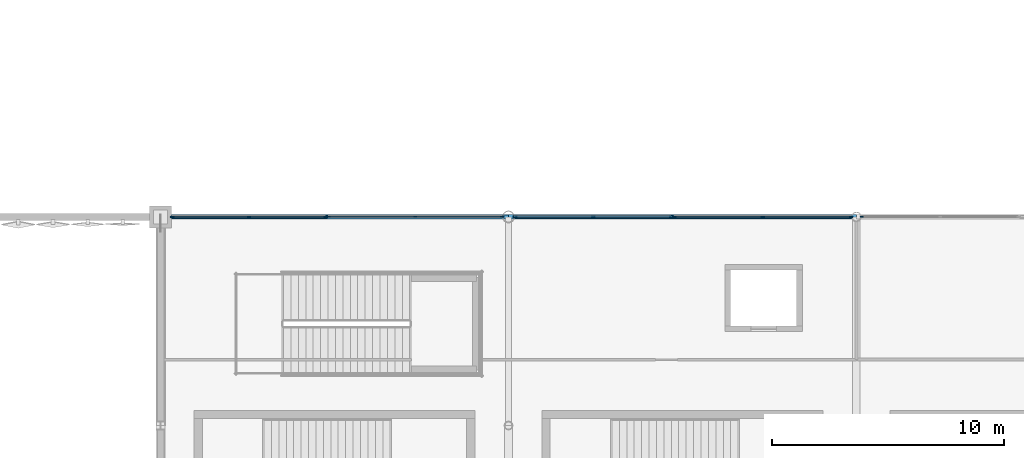
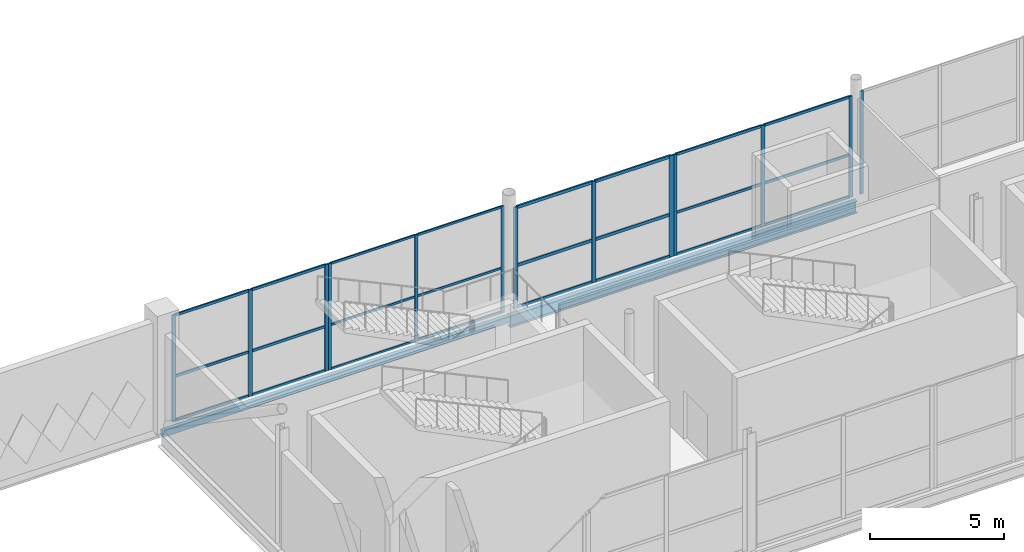
# One storey, part 26 of 119: 37 members, 2 beams, 5 elements without a shape of their own.
"""IFC4 building model written with IfcOpenShell, lengths in metres."""

import ifcopenshell
import ifcopenshell.guid

model = None  # the IFC model being written
_history = None  # IfcOwnerHistory: only IFC2X3 demands one
_inside = {}  # id of a spatial element -> (the spatial element, [elements in it])
_under = {}  # id of a project, library or spatial element -> (it, [spatial elements below it])
_declared = {}  # id of a project -> (the project, [libraries it declares])
_typed = {}  # id of a type object -> (the type object, [elements of that type])
_made_of = {}  # id of a material, layer set ... -> (it, [elements and type objects made of it])


def new_model(schema):
    """Start an empty IFC model of exactly this schema.

    Asked for "IFC4X3", IfcOpenShell would pick the latest addendum, in which some entities
    have other attributes; the version numbers below select the first issue.
    IFC2X3 requires an IfcOwnerHistory on every rooted entity: one is made here for all.
    """
    global model, _history
    if schema == "IFC4X3":
        model = ifcopenshell.file(schema_version=(4, 3, 0, 0))
    else:
        model = ifcopenshell.file(schema=schema)
    _inside.clear()
    _under.clear()
    _declared.clear()
    _typed.clear()
    _made_of.clear()
    _history = None
    if model.schema == "IFC2X3":
        org = make("IfcOrganization", Name="unknown")
        user = make(
            "IfcPersonAndOrganization",
            ThePerson=make("IfcPerson", FamilyName="unknown"),
            TheOrganization=org,
        )
        app = make(
            "IfcApplication",
            ApplicationDeveloper=org,
            Version="unknown",
            ApplicationFullName="unknown",
            ApplicationIdentifier="unknown",
        )
        _history = make(
            "IfcOwnerHistory",
            OwningUser=user,
            OwningApplication=app,
            ChangeAction="ADDED",
            CreationDate=0,
        )
    return model


def make(cls, **values):
    """One entity of the class cls with the attributes given. An attribute that is None is left unset."""
    return model.create_entity(
        cls, **{name: value for name, value in values.items() if value is not None}
    )


def rooted(cls, **values):
    """An entity with a GlobalId (a new one), such as an element, a storey or a relation."""
    return make(cls, GlobalId=ifcopenshell.guid.new(), OwnerHistory=_history, **values)


def si_unit(unit_type, name, prefix=None):
    """IfcSIUnit, for example si_unit("LENGTHUNIT", "METRE", prefix="MILLI")."""
    return make("IfcSIUnit", UnitType=unit_type, Prefix=prefix, Name=name)


def assignment(units):
    """IfcUnitAssignment: the units of a project."""
    return None if units is None else make("IfcUnitAssignment", Units=units)


def point(xyz):
    """IfcCartesianPoint."""
    return None if xyz is None else make("IfcCartesianPoint", Coordinates=xyz)


def direction(xyz):
    """IfcDirection."""
    return None if xyz is None else make("IfcDirection", DirectionRatios=xyz)


def frame(location, z_axis=None, x_axis=None):
    """IfcAxis2Placement3D, a coordinate frame: its origin and axes. An axis left out is left unset."""
    return make(
        "IfcAxis2Placement3D",
        Location=point(location),
        Axis=direction(z_axis),
        RefDirection=direction(x_axis),
    )


def frame_2d(location, x_axis=None):
    """IfcAxis2Placement2D, a coordinate frame in the plane: its origin and x axis."""
    return make(
        "IfcAxis2Placement2D", Location=point(location), RefDirection=direction(x_axis)
    )


def origin():
    """The frame at (0, 0, 0) with its axes left unset."""
    return frame((0.0, 0.0, 0.0))


def origin_2d():
    """The frame at (0, 0) in the plane with its x axis left unset."""
    return frame_2d((0.0, 0.0))


def place(relative_to, where):
    """IfcLocalPlacement: puts the frame where relative to a parent placement (None: the world)."""
    return make(
        "IfcLocalPlacement", PlacementRelTo=relative_to, RelativePlacement=where
    )


def context(
    kind, dimensions, precision=None, world=None, true_north=None, identifier=None
):
    """IfcGeometricRepresentationContext, for example the 3D "Model" context."""
    return make(
        "IfcGeometricRepresentationContext",
        ContextIdentifier=identifier,
        ContextType=kind,
        CoordinateSpaceDimension=dimensions,
        Precision=precision,
        WorldCoordinateSystem=world,
        TrueNorth=true_north,
    )


def subcontext(parent, identifier, kind, view, scale=None):
    """IfcGeometricRepresentationSubContext, for example "Body" below "Model"."""
    return make(
        "IfcGeometricRepresentationSubContext",
        ContextIdentifier=identifier,
        ContextType=kind,
        ParentContext=parent,
        TargetScale=scale,
        TargetView=view,
    )


def project(units=None, contexts=None):
    """IfcProject with its units and contexts."""
    return rooted(
        "IfcProject",
        Name="project",
        RepresentationContexts=contexts,
        UnitsInContext=assignment(units),
    )


def spatial(cls, under=None, at=None, **own):
    """A site, building, storey or space (cls), placed at a placement, below another one or the project."""
    s = rooted(cls, ObjectPlacement=at, **own)
    if under is not None:
        _under.setdefault(under.id(), (under, []))[1].append(s)
    return s


def profile(cls, at=None, kind="AREA", **sizes):
    """A parametric profile (cls). Its sizes go by their IFC names, for example OverallWidth=200.0."""
    return make(cls, ProfileType=kind, Position=at, **sizes)


def rectangle(**sizes):
    """IfcRectangleProfileDef."""
    return profile("IfcRectangleProfileDef", **sizes)


def hollow_rectangle(**sizes):
    """IfcRectangleHollowProfileDef."""
    return profile("IfcRectangleHollowProfileDef", **sizes)


def i_section(**sizes):
    """IfcIShapeProfileDef."""
    return profile("IfcIShapeProfileDef", **sizes)


def extrude(swept, where, along, depth):
    """IfcExtrudedAreaSolid: the profile swept, set in the frame where, extruded along a direction by depth."""
    return make(
        "IfcExtrudedAreaSolid",
        SweptArea=swept,
        Position=where,
        ExtrudedDirection=direction(along),
        Depth=depth,
    )


def shape(context_of_items, identifier, shape_type, items):
    """IfcShapeRepresentation: the items that make up one representation, for example the "Body"."""
    return make(
        "IfcShapeRepresentation",
        ContextOfItems=context_of_items,
        RepresentationIdentifier=identifier,
        RepresentationType=shape_type,
        Items=items,
    )


def material(Name=None, Category=None):
    """IfcMaterial."""
    return make("IfcMaterial", Name=Name, Category=Category)


def layer(
    of_material, thickness, ventilated=None, Name=None, Category=None, Priority=None
):
    """IfcMaterialLayer: one layer of a wall or slab, of a material (None: an air gap)."""
    return make(
        "IfcMaterialLayer",
        Material=of_material,
        LayerThickness=thickness,
        IsVentilated=ventilated,
        Name=Name,
        Category=Category,
        Priority=Priority,
    )


def layer_set(layers, Name=None):
    """IfcMaterialLayerSet."""
    return make("IfcMaterialLayerSet", MaterialLayers=layers, LayerSetName=Name)


def material_profile(
    of_material, cross_section, Name=None, Category=None, Priority=None
):
    """IfcMaterialProfile: a cross section and its material."""
    return make(
        "IfcMaterialProfile",
        Name=Name,
        Material=of_material,
        Profile=cross_section,
        Priority=Priority,
        Category=Category,
    )


def profile_set(profiles, Name=None, composite=None):
    """IfcMaterialProfileSet."""
    return make(
        "IfcMaterialProfileSet",
        Name=Name,
        MaterialProfiles=profiles,
        CompositeProfile=composite,
    )


def made_of(thing, what):
    """Note that an element or type object is made of a material, layer set ...; save() writes the relation."""
    if what is not None:
        _made_of.setdefault(what.id(), (what, []))[1].append(thing)
    return thing


def type_object(cls, material=None, **own):
    """A type object (cls), such as IfcWallType, which elements share."""
    return made_of(rooted(cls, **own), material)


def element(
    cls,
    number,
    at=None,
    inside=None,
    cuts=None,
    type_object=None,
    material=None,
    context=None,
    identifier="Body",
    shape_type=None,
    held_by="IfcProductDefinitionShape",
    body=None,
    shapes=None,
    **own,
):
    """One element of the class cls, such as IfcWall. Its Tag is "e" and its number.

    at: its placement. inside: the storey or other place that contains it. cuts: it is an
    opening in that element (IfcRelVoidsElement). A single representation is given by context,
    identifier, shape_type and body (its items); several are given by shapes. held_by: the class
    of the entity that holds the representations. save() writes the other relations.
    """
    e = rooted(cls, Tag="e%d" % number, ObjectPlacement=at, **own)
    if body is not None:
        shapes = [shape(context, identifier, shape_type, body)]
    if shapes is not None:
        e.Representation = make(held_by, Representations=shapes)
    if inside is not None:
        _inside.setdefault(inside.id(), (inside, []))[1].append(e)
    if cuts is not None:
        rooted(
            "IfcRelVoidsElement", RelatingBuildingElement=cuts, RelatedOpeningElement=e
        )
    if type_object is not None:
        _typed.setdefault(type_object.id(), (type_object, []))[1].append(e)
    return made_of(e, material)


def aggregate(whole, parts):
    """IfcRelAggregates: a whole, such as a stair, and the parts it consists of."""
    return rooted("IfcRelAggregates", RelatingObject=whole, RelatedObjects=parts)


def save(model, path):
    """Write the relations noted so far, then the file.

    IfcRelAggregates (storeys below a building ...), IfcRelContainedInSpatialStructure (elements
    in a storey), IfcRelDefinesByType, IfcRelAssociatesMaterial and IfcRelDeclares: one each for
    every whole, place, type object, material and project.
    """
    for whole, parts in _under.values():
        aggregate(whole, parts)
    for where, things in _inside.values():
        rooted(
            "IfcRelContainedInSpatialStructure",
            RelatedElements=things,
            RelatingStructure=where,
        )
    for kind, things in _typed.values():
        rooted("IfcRelDefinesByType", RelatedObjects=things, RelatingType=kind)
    for what, things in _made_of.values():
        rooted("IfcRelAssociatesMaterial", RelatedObjects=things, RelatingMaterial=what)
    for by, libraries in _declared.values():
        rooted("IfcRelDeclares", RelatingContext=by, RelatedDefinitions=libraries)
    model.write(path)


model = new_model("IFC4")

# Units and contexts
model_context = context("Model", 3, precision=1e-05, world=origin(), true_north=direction((0.0, 1.0)))
body_context = subcontext(model_context, "Body", "Model", "MODEL_VIEW")
ifc_project = project(units=[si_unit("LENGTHUNIT", "METRE"), si_unit("AREAUNIT", "SQUARE_METRE"), si_unit("VOLUMEUNIT", "CUBIC_METRE"), si_unit("PLANEANGLEUNIT", "RADIAN"), si_unit("MASSUNIT", "GRAM", prefix="KILO")], contexts=[model_context])

# Site, building, storey
site_placement = place(None, origin())
site = spatial("IfcSite", under=ifc_project, at=site_placement, CompositionType="ELEMENT")
building_placement = place(site_placement, origin())
building = spatial("IfcBuilding", under=site, at=building_placement, Name="Qamarlyn Nura Convention Centre", CompositionType="ELEMENT")
storey_placement = place(building_placement, frame((0.0, 0.0, 5.39990234375)))
storey = spatial("IfcBuildingStorey", under=building, at=storey_placement, Name="L01", CompositionType="ELEMENT", Elevation=5.39990234375)

# Beams
ifc_material_1 = material(Name="Steel ASTM A992", Category="steel")
ifc_material_profile_1 = material_profile(ifc_material_1, i_section(OverallWidth=0.2109375, OverallDepth=0.5390625, WebThickness=0.01171875, FlangeThickness=0.018798828125, FilletRadius=0.013916015625, at=origin_2d()), Name="W530X109")
ifc_profile_set_1 = profile_set([ifc_material_profile_1], Name="Steel ASTM A992")
beam_type_1 = type_object("IfcBeamType", Name="BM-SPAN-530", PredefinedType="SPANDREL", material=ifc_profile_set_1)
beam_1_placement = place(storey_placement, frame((75.0, 18.0, -0.489501953125), z_axis=(1.0, 0.0, 0.0), x_axis=(0.0, 1.0, 0.0)))
element("IfcBeam", 1, at=beam_1_placement, inside=storey, type_object=beam_type_1, Name="L01 girder C 6-7", PredefinedType="SPANDREL", context=body_context, shape_type="SweptSolid", body=[
    extrude(i_section(OverallWidth=0.2109375, OverallDepth=0.5390625, WebThickness=0.01171875, FlangeThickness=0.018798828125, FilletRadius=0.013916015625, at=origin_2d()), origin(), (0.0, 0.0, 1.0), 15.0),
])
ifc_material_2 = material(Name="Steel ASTM A500 Grade C", Category="steel")
ifc_material_profile_2 = material_profile(ifc_material_2, hollow_rectangle(XDim=0.199951171875, YDim=0.300048828125, WallThickness=0.012451171875, InnerFilletRadius=0.012451171875, OuterFilletRadius=0.02490234375, at=origin_2d()), Name="HSS300X200X12.5")
ifc_profile_set_2 = profile_set([ifc_material_profile_2], Name="Steel ASTM A500 Grade C")
beam_type_2 = type_object("IfcBeamType", Name="BM-SPAN-HSS", PredefinedType="SPANDREL", material=ifc_profile_set_2)
beam_2_placement = place(storey_placement, frame((60.0, 18.0, -0.369873046875), z_axis=(1.0, 0.0, 0.0), x_axis=(0.0, 1.0, 0.0)))
element("IfcBeam", 2, at=beam_2_placement, inside=storey, type_object=beam_type_2, Name="L01 girder C 5-6", PredefinedType="SPANDREL", context=body_context, shape_type="SweptSolid", body=[
    extrude(hollow_rectangle(XDim=0.199951171875, YDim=0.300048828125, WallThickness=0.012451171875, InnerFilletRadius=0.012451171875, OuterFilletRadius=0.02490234375, at=origin_2d()), origin(), (0.0, 0.0, 1.0), 15.0),
])

# Curtain wall, members
ifc_material_3 = material(Name="Double-silver low-E insulated glass", Category="glass")
ifc_layer_1 = layer(ifc_material_3, 0.179931640625, Name="CW-UNIT-02")
ifc_layer_set_1 = layer_set([ifc_layer_1], Name="Double-silver low-E insulated glass")
curtain_wall_type_1 = type_object("IfcCurtainWallType", Name="CW-UNIT-02", PredefinedType="NOTDEFINED", material=ifc_layer_set_1)
curtain_wall_1_placement = place(storey_placement, origin())
curtain_wall_1 = element("IfcCurtainWall", 3, at=curtain_wall_1_placement, inside=storey, type_object=curtain_wall_type_1, Name="L01 unitised curtain wall V1-INT-S1-1B", PredefinedType="NOTDEFINED")
ifc_material_4 = material(Name="Champagne-anodised marine aluminium", Category="aluminium")
ifc_material_profile_3 = material_profile(ifc_material_4, rectangle(XDim=0.06005859375, YDim=0.139892578125, at=origin_2d()), Name="ALU MULLION 60x140")
ifc_profile_set_3 = profile_set([ifc_material_profile_3], Name="Champagne-anodised marine aluminium")
member_type_1 = type_object("IfcMemberType", Name="CWM-140", PredefinedType="MULLION", material=ifc_profile_set_3)
member_1_placement = place(storey_placement, frame((67.25244140625, 18.0, 0.0), z_axis=(0.0, 0.0, 1.0), x_axis=(0.0, 1.0, 0.0)))
member_1 = element("IfcMember", 4, at=member_1_placement, type_object=member_type_1, Name="CW02 mullion 1", PredefinedType="MULLION", context=body_context, shape_type="SweptSolid", body=[
    extrude(rectangle(XDim=0.06005859375, YDim=0.139892578125, at=origin_2d()), origin(), (0.0, 0.0, 1.0), 4.864990234375),
])
member_2_placement = place(storey_placement, frame((70.984130859375, 18.0, 0.0), z_axis=(0.0, 0.0, 1.0), x_axis=(0.0, 1.0, 0.0)))
member_2 = element("IfcMember", 5, at=member_2_placement, type_object=member_type_1, Name="CW02 mullion 2", PredefinedType="MULLION", context=body_context, shape_type="SweptSolid", body=[
    extrude(rectangle(XDim=0.06005859375, YDim=0.139892578125, at=origin_2d()), origin(), (0.0, 0.0, 1.0), 4.864990234375),
])
member_3_placement = place(storey_placement, frame((74.716064453125, 18.0, 0.0), z_axis=(0.0, 0.0, 1.0), x_axis=(0.0, 1.0, 0.0)))
member_3 = element("IfcMember", 6, at=member_3_placement, type_object=member_type_1, Name="CW02 mullion 3", PredefinedType="MULLION", context=body_context, shape_type="SweptSolid", body=[
    extrude(rectangle(XDim=0.06005859375, YDim=0.139892578125, at=origin_2d()), origin(), (0.0, 0.0, 1.0), 4.864990234375),
])

# Curtain wall, member
ifc_layer_2 = layer(ifc_material_3, 0.179931640625, Name="CW-UNIT-05")
ifc_layer_set_2 = layer_set([ifc_layer_2], Name="Double-silver low-E insulated glass")
curtain_wall_type_2 = type_object("IfcCurtainWallType", Name="CW-UNIT-05", PredefinedType="NOTDEFINED", material=ifc_layer_set_2)
curtain_wall_2_placement = place(storey_placement, origin())
curtain_wall_2 = element("IfcCurtainWall", 7, at=curtain_wall_2_placement, inside=storey, type_object=curtain_wall_type_2, Name="L01 unitised curtain wall V1-INT-S3-1A", PredefinedType="NOTDEFINED")
member_4_placement = place(storey_placement, frame((90.233154296875, 18.0, 0.0), z_axis=(0.0, 0.0, 1.0), x_axis=(0.0, 1.0, 0.0)))
member_4 = element("IfcMember", 8, at=member_4_placement, type_object=member_type_1, Name="CW05 mullion 1", PredefinedType="MULLION", context=body_context, shape_type="SweptSolid", body=[
    extrude(rectangle(XDim=0.06005859375, YDim=0.139892578125, at=origin_2d()), origin(), (0.0, 0.0, 1.0), 4.69921875),
])
aggregate(curtain_wall_2, [member_4])

# Curtain wall, members
ifc_layer_3 = layer(ifc_material_3, 0.179931640625, Name="CW-UNIT-01")
ifc_layer_set_3 = layer_set([ifc_layer_3], Name="Double-silver low-E insulated glass")
curtain_wall_type_3 = type_object("IfcCurtainWallType", Name="CW-UNIT-01", PredefinedType="NOTDEFINED", material=ifc_layer_set_3)
curtain_wall_3_placement = place(storey_placement, origin())
curtain_wall_3 = element("IfcCurtainWall", 9, at=curtain_wall_3_placement, inside=storey, type_object=curtain_wall_type_3, Name="L01 unitised curtain wall V1-INT-S1-1A", PredefinedType="NOTDEFINED")
ifc_material_profile_4 = material_profile(ifc_material_4, rectangle(XDim=0.06494140625, YDim=0.159912109375, at=origin_2d()), Name="ALU MULLION 65x160")
ifc_profile_set_4 = profile_set([ifc_material_profile_4], Name="Champagne-anodised marine aluminium")
member_type_2 = type_object("IfcMemberType", Name="CWM-160", PredefinedType="MULLION", material=ifc_profile_set_4)
member_5_placement = place(storey_placement, frame((60.507568359375, 18.0, 0.0), z_axis=(0.0, 0.0, 1.0), x_axis=(0.0, 1.0, 0.0)))
member_5 = element("IfcMember", 10, at=member_5_placement, type_object=member_type_2, Name="CW01 mullion 1", PredefinedType="MULLION", context=body_context, shape_type="SweptSolid", body=[
    extrude(rectangle(XDim=0.06494140625, YDim=0.159912109375, at=origin_2d()), origin(), (0.0, 0.0, 1.0), 4.864990234375),
])
member_6_placement = place(storey_placement, frame((63.80859375, 18.0, 0.0), z_axis=(0.0, 0.0, 1.0), x_axis=(0.0, 1.0, 0.0)))
member_6 = element("IfcMember", 11, at=member_6_placement, type_object=member_type_2, Name="CW01 mullion 2", PredefinedType="MULLION", context=body_context, shape_type="SweptSolid", body=[
    extrude(rectangle(XDim=0.06494140625, YDim=0.159912109375, at=origin_2d()), origin(), (0.0, 0.0, 1.0), 4.864990234375),
])
member_7_placement = place(storey_placement, frame((67.10986328125, 18.0, 0.0), z_axis=(0.0, 0.0, 1.0), x_axis=(0.0, 1.0, 0.0)))
member_7 = element("IfcMember", 12, at=member_7_placement, type_object=member_type_2, Name="CW01 mullion 3", PredefinedType="MULLION", context=body_context, shape_type="SweptSolid", body=[
    extrude(rectangle(XDim=0.06494140625, YDim=0.159912109375, at=origin_2d()), origin(), (0.0, 0.0, 1.0), 4.864990234375),
])

ifc_layer_4 = layer(ifc_material_3, 0.179931640625, Name="CW-UNIT-04")
ifc_layer_set_4 = layer_set([ifc_layer_4], Name="Double-silver low-E insulated glass")
curtain_wall_type_4 = type_object("IfcCurtainWallType", Name="CW-UNIT-04", PredefinedType="NOTDEFINED", material=ifc_layer_set_4)
curtain_wall_4_placement = place(storey_placement, origin())
curtain_wall_4 = element("IfcCurtainWall", 13, at=curtain_wall_4_placement, inside=storey, type_object=curtain_wall_type_4, Name="L01 unitised curtain wall V1-INT-S2-1B", PredefinedType="NOTDEFINED")
member_8_placement = place(storey_placement, frame((82.16162109375, 18.0, 0.0), z_axis=(0.0, 0.0, 1.0), x_axis=(0.0, 1.0, 0.0)))
member_8 = element("IfcMember", 14, at=member_8_placement, type_object=member_type_2, Name="CW04 mullion 1", PredefinedType="MULLION", context=body_context, shape_type="SweptSolid", body=[
    extrude(rectangle(XDim=0.06494140625, YDim=0.159912109375, at=origin_2d()), origin(), (0.0, 0.0, 1.0), 4.6259765625),
])
member_9_placement = place(storey_placement, frame((85.962890625, 18.0, 0.0), z_axis=(0.0, 0.0, 1.0), x_axis=(0.0, 1.0, 0.0)))
member_9 = element("IfcMember", 15, at=member_9_placement, type_object=member_type_2, Name="CW04 mullion 2", PredefinedType="MULLION", context=body_context, shape_type="SweptSolid", body=[
    extrude(rectangle(XDim=0.06494140625, YDim=0.159912109375, at=origin_2d()), origin(), (0.0, 0.0, 1.0), 4.6259765625),
])
member_10_placement = place(storey_placement, frame((89.764404296875, 18.0, 0.0), z_axis=(0.0, 0.0, 1.0), x_axis=(0.0, 1.0, 0.0)))
member_10 = element("IfcMember", 16, at=member_10_placement, type_object=member_type_2, Name="CW04 mullion 3", PredefinedType="MULLION", context=body_context, shape_type="SweptSolid", body=[
    extrude(rectangle(XDim=0.06494140625, YDim=0.159912109375, at=origin_2d()), origin(), (0.0, 0.0, 1.0), 4.6259765625),
])

ifc_layer_5 = layer(ifc_material_3, 0.179931640625, Name="CW-UNIT-03")
ifc_layer_set_5 = layer_set([ifc_layer_5], Name="Double-silver low-E insulated glass")
curtain_wall_type_5 = type_object("IfcCurtainWallType", Name="CW-UNIT-03", PredefinedType="NOTDEFINED", material=ifc_layer_set_5)
curtain_wall_5_placement = place(storey_placement, origin())
curtain_wall_5 = element("IfcCurtainWall", 17, at=curtain_wall_5_placement, inside=storey, type_object=curtain_wall_type_5, Name="L01 unitised curtain wall V1-INT-S2-1A", PredefinedType="NOTDEFINED")
ifc_material_profile_5 = material_profile(ifc_material_4, rectangle(XDim=0.070068359375, YDim=0.179931640625, at=origin_2d()), Name="ALU MULLION 70x180")
ifc_profile_set_5 = profile_set([ifc_material_profile_5], Name="Champagne-anodised marine aluminium")
member_type_3 = type_object("IfcMemberType", Name="CWM-180", PredefinedType="MULLION", material=ifc_profile_set_5)
member_11_placement = place(storey_placement, frame((75.2890625, 18.0, 0.0), z_axis=(0.0, 0.0, 1.0), x_axis=(0.0, 1.0, 0.0)))
member_11 = element("IfcMember", 18, at=member_11_placement, type_object=member_type_3, Name="CW03 mullion 1", PredefinedType="MULLION", context=body_context, shape_type="SweptSolid", body=[
    extrude(rectangle(XDim=0.070068359375, YDim=0.179931640625, at=origin_2d()), origin(), (0.0, 0.0, 1.0), 4.6259765625),
])
member_12_placement = place(storey_placement, frame((78.651611328125, 18.0, 0.0), z_axis=(0.0, 0.0, 1.0), x_axis=(0.0, 1.0, 0.0)))
member_12 = element("IfcMember", 19, at=member_12_placement, type_object=member_type_3, Name="CW03 mullion 2", PredefinedType="MULLION", context=body_context, shape_type="SweptSolid", body=[
    extrude(rectangle(XDim=0.070068359375, YDim=0.179931640625, at=origin_2d()), origin(), (0.0, 0.0, 1.0), 4.6259765625),
])
member_13_placement = place(storey_placement, frame((82.01416015625, 18.0, 0.0), z_axis=(0.0, 0.0, 1.0), x_axis=(0.0, 1.0, 0.0)))
member_13 = element("IfcMember", 20, at=member_13_placement, type_object=member_type_3, Name="CW03 mullion 3", PredefinedType="MULLION", context=body_context, shape_type="SweptSolid", body=[
    extrude(rectangle(XDim=0.070068359375, YDim=0.179931640625, at=origin_2d()), origin(), (0.0, 0.0, 1.0), 4.6259765625),
])

# Member
ifc_material_profile_6 = material_profile(ifc_material_4, rectangle(XDim=0.06005859375, YDim=0.10009765625, at=origin_2d()), Name="ALU TRANSOM 60x100")
ifc_profile_set_6 = profile_set([ifc_material_profile_6], Name="Champagne-anodised marine aluminium")
member_type_4 = type_object("IfcMemberType", Name="CWT-100", PredefinedType="USERDEFINED", material=ifc_profile_set_6)
member_14_placement = place(storey_placement, frame((67.282470703125, 18.0, 0.030029296875), z_axis=(1.0, 0.0, 0.0), x_axis=(0.0, 1.0, 0.0)))
member_14 = element("IfcMember", 21, at=member_14_placement, type_object=member_type_4, Name="CW02 transom 1.1", ObjectType="TRANSOM", PredefinedType="USERDEFINED", context=body_context, shape_type="SweptSolid", body=[
    extrude(rectangle(XDim=0.06005859375, YDim=0.10009765625, at=origin_2d()), origin(), (0.0, 0.0, 1.0), 3.671630859375),
])

member_15_placement = place(storey_placement, frame((67.282470703125, 18.0, 2.043212890625), z_axis=(1.0, 0.0, 0.0), x_axis=(0.0, 1.0, 0.0)))
member_15 = element("IfcMember", 22, at=member_15_placement, type_object=member_type_4, Name="CW02 transom 1.2", ObjectType="TRANSOM", PredefinedType="USERDEFINED", context=body_context, shape_type="SweptSolid", body=[
    extrude(rectangle(XDim=0.06005859375, YDim=0.10009765625, at=origin_2d()), origin(), (0.0, 0.0, 1.0), 3.671630859375),
])

member_16_placement = place(storey_placement, frame((67.282470703125, 18.0, 4.835205078125), z_axis=(1.0, 0.0, 0.0), x_axis=(0.0, 1.0, 0.0)))
member_16 = element("IfcMember", 23, at=member_16_placement, type_object=member_type_4, Name="CW02 transom 1.3", ObjectType="TRANSOM", PredefinedType="USERDEFINED", context=body_context, shape_type="SweptSolid", body=[
    extrude(rectangle(XDim=0.06005859375, YDim=0.10009765625, at=origin_2d()), origin(), (0.0, 0.0, 1.0), 3.671630859375),
])

member_17_placement = place(storey_placement, frame((71.01416015625, 18.0, 0.030029296875), z_axis=(1.0, 0.0, 0.0), x_axis=(0.0, 1.0, 0.0)))
member_17 = element("IfcMember", 24, at=member_17_placement, type_object=member_type_4, Name="CW02 transom 2.1", ObjectType="TRANSOM", PredefinedType="USERDEFINED", context=body_context, shape_type="SweptSolid", body=[
    extrude(rectangle(XDim=0.06005859375, YDim=0.10009765625, at=origin_2d()), origin(), (0.0, 0.0, 1.0), 3.671875),
])

member_18_placement = place(storey_placement, frame((71.01416015625, 18.0, 2.043212890625), z_axis=(1.0, 0.0, 0.0), x_axis=(0.0, 1.0, 0.0)))
member_18 = element("IfcMember", 25, at=member_18_placement, type_object=member_type_4, Name="CW02 transom 2.2", ObjectType="TRANSOM", PredefinedType="USERDEFINED", context=body_context, shape_type="SweptSolid", body=[
    extrude(rectangle(XDim=0.06005859375, YDim=0.10009765625, at=origin_2d()), origin(), (0.0, 0.0, 1.0), 3.671875),
])

member_19_placement = place(storey_placement, frame((71.01416015625, 18.0, 4.835205078125), z_axis=(1.0, 0.0, 0.0), x_axis=(0.0, 1.0, 0.0)))
member_19 = element("IfcMember", 26, at=member_19_placement, type_object=member_type_4, Name="CW02 transom 2.3", ObjectType="TRANSOM", PredefinedType="USERDEFINED", context=body_context, shape_type="SweptSolid", body=[
    extrude(rectangle(XDim=0.06005859375, YDim=0.10009765625, at=origin_2d()), origin(), (0.0, 0.0, 1.0), 3.671875),
])

aggregate(curtain_wall_1, [member_1, member_2, member_3, member_14, member_15, member_16, member_17, member_18, member_19])

ifc_material_profile_7 = material_profile(ifc_material_4, rectangle(XDim=0.06494140625, YDim=0.1201171875, at=origin_2d()), Name="ALU TRANSOM 65x120")
ifc_profile_set_7 = profile_set([ifc_material_profile_7], Name="Champagne-anodised marine aluminium")
member_type_5 = type_object("IfcMemberType", Name="CWT-120", PredefinedType="USERDEFINED", material=ifc_profile_set_7)
member_20_placement = place(storey_placement, frame((60.5400390625, 18.0, 0.03271484375), z_axis=(1.0, 0.0, 0.0), x_axis=(0.0, 1.0, 0.0)))
member_20 = element("IfcMember", 27, at=member_20_placement, type_object=member_type_5, Name="CW01 transom 1.1", ObjectType="TRANSOM", PredefinedType="USERDEFINED", context=body_context, shape_type="SweptSolid", body=[
    extrude(rectangle(XDim=0.06494140625, YDim=0.1201171875, at=origin_2d()), origin(), (0.0, 0.0, 1.0), 3.236083984375),
])

member_21_placement = place(storey_placement, frame((60.5400390625, 18.0, 2.043212890625), z_axis=(1.0, 0.0, 0.0), x_axis=(0.0, 1.0, 0.0)))
member_21 = element("IfcMember", 28, at=member_21_placement, type_object=member_type_5, Name="CW01 transom 1.2", ObjectType="TRANSOM", PredefinedType="USERDEFINED", context=body_context, shape_type="SweptSolid", body=[
    extrude(rectangle(XDim=0.06494140625, YDim=0.1201171875, at=origin_2d()), origin(), (0.0, 0.0, 1.0), 3.236083984375),
])

member_22_placement = place(storey_placement, frame((60.5400390625, 18.0, 4.83251953125), z_axis=(1.0, 0.0, 0.0), x_axis=(0.0, 1.0, 0.0)))
member_22 = element("IfcMember", 29, at=member_22_placement, type_object=member_type_5, Name="CW01 transom 1.3", ObjectType="TRANSOM", PredefinedType="USERDEFINED", context=body_context, shape_type="SweptSolid", body=[
    extrude(rectangle(XDim=0.06494140625, YDim=0.1201171875, at=origin_2d()), origin(), (0.0, 0.0, 1.0), 3.236083984375),
])

member_23_placement = place(storey_placement, frame((63.84130859375, 18.0, 0.03271484375), z_axis=(1.0, 0.0, 0.0), x_axis=(0.0, 1.0, 0.0)))
member_23 = element("IfcMember", 30, at=member_23_placement, type_object=member_type_5, Name="CW01 transom 2.1", ObjectType="TRANSOM", PredefinedType="USERDEFINED", context=body_context, shape_type="SweptSolid", body=[
    extrude(rectangle(XDim=0.06494140625, YDim=0.1201171875, at=origin_2d()), origin(), (0.0, 0.0, 1.0), 3.236083984375),
])

member_24_placement = place(storey_placement, frame((63.84130859375, 18.0, 2.043212890625), z_axis=(1.0, 0.0, 0.0), x_axis=(0.0, 1.0, 0.0)))
member_24 = element("IfcMember", 31, at=member_24_placement, type_object=member_type_5, Name="CW01 transom 2.2", ObjectType="TRANSOM", PredefinedType="USERDEFINED", context=body_context, shape_type="SweptSolid", body=[
    extrude(rectangle(XDim=0.06494140625, YDim=0.1201171875, at=origin_2d()), origin(), (0.0, 0.0, 1.0), 3.236083984375),
])

member_25_placement = place(storey_placement, frame((63.84130859375, 18.0, 4.83251953125), z_axis=(1.0, 0.0, 0.0), x_axis=(0.0, 1.0, 0.0)))
member_25 = element("IfcMember", 32, at=member_25_placement, type_object=member_type_5, Name="CW01 transom 2.3", ObjectType="TRANSOM", PredefinedType="USERDEFINED", context=body_context, shape_type="SweptSolid", body=[
    extrude(rectangle(XDim=0.06494140625, YDim=0.1201171875, at=origin_2d()), origin(), (0.0, 0.0, 1.0), 3.236083984375),
])

aggregate(curtain_wall_3, [member_5, member_6, member_7, member_20, member_21, member_22, member_23, member_24, member_25])

member_26_placement = place(storey_placement, frame((82.194091796875, 18.0, 0.03271484375), z_axis=(1.0, 0.0, 0.0), x_axis=(0.0, 1.0, 0.0)))
member_26 = element("IfcMember", 33, at=member_26_placement, type_object=member_type_5, Name="CW04 transom 1.1", ObjectType="TRANSOM", PredefinedType="USERDEFINED", context=body_context, shape_type="SweptSolid", body=[
    extrude(rectangle(XDim=0.06494140625, YDim=0.1201171875, at=origin_2d()), origin(), (0.0, 0.0, 1.0), 3.736328125),
])

member_27_placement = place(storey_placement, frame((82.194091796875, 18.0, 1.943115234375), z_axis=(1.0, 0.0, 0.0), x_axis=(0.0, 1.0, 0.0)))
member_27 = element("IfcMember", 34, at=member_27_placement, type_object=member_type_5, Name="CW04 transom 1.2", ObjectType="TRANSOM", PredefinedType="USERDEFINED", context=body_context, shape_type="SweptSolid", body=[
    extrude(rectangle(XDim=0.06494140625, YDim=0.1201171875, at=origin_2d()), origin(), (0.0, 0.0, 1.0), 3.736328125),
])

member_28_placement = place(storey_placement, frame((82.194091796875, 18.0, 4.593505859375), z_axis=(1.0, 0.0, 0.0), x_axis=(0.0, 1.0, 0.0)))
member_28 = element("IfcMember", 35, at=member_28_placement, type_object=member_type_5, Name="CW04 transom 1.3", ObjectType="TRANSOM", PredefinedType="USERDEFINED", context=body_context, shape_type="SweptSolid", body=[
    extrude(rectangle(XDim=0.06494140625, YDim=0.1201171875, at=origin_2d()), origin(), (0.0, 0.0, 1.0), 3.736328125),
])

member_29_placement = place(storey_placement, frame((85.995361328125, 18.0, 0.03271484375), z_axis=(1.0, 0.0, 0.0), x_axis=(0.0, 1.0, 0.0)))
member_29 = element("IfcMember", 36, at=member_29_placement, type_object=member_type_5, Name="CW04 transom 2.1", ObjectType="TRANSOM", PredefinedType="USERDEFINED", context=body_context, shape_type="SweptSolid", body=[
    extrude(rectangle(XDim=0.06494140625, YDim=0.1201171875, at=origin_2d()), origin(), (0.0, 0.0, 1.0), 3.736328125),
])

member_30_placement = place(storey_placement, frame((85.995361328125, 18.0, 1.943115234375), z_axis=(1.0, 0.0, 0.0), x_axis=(0.0, 1.0, 0.0)))
member_30 = element("IfcMember", 37, at=member_30_placement, type_object=member_type_5, Name="CW04 transom 2.2", ObjectType="TRANSOM", PredefinedType="USERDEFINED", context=body_context, shape_type="SweptSolid", body=[
    extrude(rectangle(XDim=0.06494140625, YDim=0.1201171875, at=origin_2d()), origin(), (0.0, 0.0, 1.0), 3.736328125),
])

member_31_placement = place(storey_placement, frame((85.995361328125, 18.0, 4.593505859375), z_axis=(1.0, 0.0, 0.0), x_axis=(0.0, 1.0, 0.0)))
member_31 = element("IfcMember", 38, at=member_31_placement, type_object=member_type_5, Name="CW04 transom 2.3", ObjectType="TRANSOM", PredefinedType="USERDEFINED", context=body_context, shape_type="SweptSolid", body=[
    extrude(rectangle(XDim=0.06494140625, YDim=0.1201171875, at=origin_2d()), origin(), (0.0, 0.0, 1.0), 3.736328125),
])

aggregate(curtain_wall_4, [member_8, member_9, member_10, member_26, member_27, member_28, member_29, member_30, member_31])

ifc_material_profile_8 = material_profile(ifc_material_4, rectangle(XDim=0.070068359375, YDim=0.139892578125, at=origin_2d()), Name="ALU TRANSOM 70x140")
ifc_profile_set_8 = profile_set([ifc_material_profile_8], Name="Champagne-anodised marine aluminium")
member_type_6 = type_object("IfcMemberType", Name="CWT-140", PredefinedType="USERDEFINED", material=ifc_profile_set_8)
member_32_placement = place(storey_placement, frame((75.323974609375, 18.0, 0.03515625), z_axis=(1.0, 0.0, 0.0), x_axis=(0.0, 1.0, 0.0)))
member_32 = element("IfcMember", 39, at=member_32_placement, type_object=member_type_6, Name="CW03 transom 1.1", ObjectType="TRANSOM", PredefinedType="USERDEFINED", context=body_context, shape_type="SweptSolid", body=[
    extrude(rectangle(XDim=0.070068359375, YDim=0.139892578125, at=origin_2d()), origin(), (0.0, 0.0, 1.0), 3.29248046875),
])

member_33_placement = place(storey_placement, frame((75.323974609375, 18.0, 1.943115234375), z_axis=(1.0, 0.0, 0.0), x_axis=(0.0, 1.0, 0.0)))
member_33 = element("IfcMember", 40, at=member_33_placement, type_object=member_type_6, Name="CW03 transom 1.2", ObjectType="TRANSOM", PredefinedType="USERDEFINED", context=body_context, shape_type="SweptSolid", body=[
    extrude(rectangle(XDim=0.070068359375, YDim=0.139892578125, at=origin_2d()), origin(), (0.0, 0.0, 1.0), 3.29248046875),
])

member_34_placement = place(storey_placement, frame((75.323974609375, 18.0, 4.591064453125), z_axis=(1.0, 0.0, 0.0), x_axis=(0.0, 1.0, 0.0)))
member_34 = element("IfcMember", 41, at=member_34_placement, type_object=member_type_6, Name="CW03 transom 1.3", ObjectType="TRANSOM", PredefinedType="USERDEFINED", context=body_context, shape_type="SweptSolid", body=[
    extrude(rectangle(XDim=0.070068359375, YDim=0.139892578125, at=origin_2d()), origin(), (0.0, 0.0, 1.0), 3.29248046875),
])

member_35_placement = place(storey_placement, frame((78.6865234375, 18.0, 0.03515625), z_axis=(1.0, 0.0, 0.0), x_axis=(0.0, 1.0, 0.0)))
member_35 = element("IfcMember", 42, at=member_35_placement, type_object=member_type_6, Name="CW03 transom 2.1", ObjectType="TRANSOM", PredefinedType="USERDEFINED", context=body_context, shape_type="SweptSolid", body=[
    extrude(rectangle(XDim=0.070068359375, YDim=0.139892578125, at=origin_2d()), origin(), (0.0, 0.0, 1.0), 3.29248046875),
])

member_36_placement = place(storey_placement, frame((78.6865234375, 18.0, 1.943115234375), z_axis=(1.0, 0.0, 0.0), x_axis=(0.0, 1.0, 0.0)))
member_36 = element("IfcMember", 43, at=member_36_placement, type_object=member_type_6, Name="CW03 transom 2.2", ObjectType="TRANSOM", PredefinedType="USERDEFINED", context=body_context, shape_type="SweptSolid", body=[
    extrude(rectangle(XDim=0.070068359375, YDim=0.139892578125, at=origin_2d()), origin(), (0.0, 0.0, 1.0), 3.29248046875),
])

member_37_placement = place(storey_placement, frame((78.6865234375, 18.0, 4.591064453125), z_axis=(1.0, 0.0, 0.0), x_axis=(0.0, 1.0, 0.0)))
member_37 = element("IfcMember", 44, at=member_37_placement, type_object=member_type_6, Name="CW03 transom 2.3", ObjectType="TRANSOM", PredefinedType="USERDEFINED", context=body_context, shape_type="SweptSolid", body=[
    extrude(rectangle(XDim=0.070068359375, YDim=0.139892578125, at=origin_2d()), origin(), (0.0, 0.0, 1.0), 3.29248046875),
])

aggregate(curtain_wall_5, [member_11, member_12, member_13, member_32, member_33, member_34, member_35, member_36, member_37])

save(model, "model.ifc")
